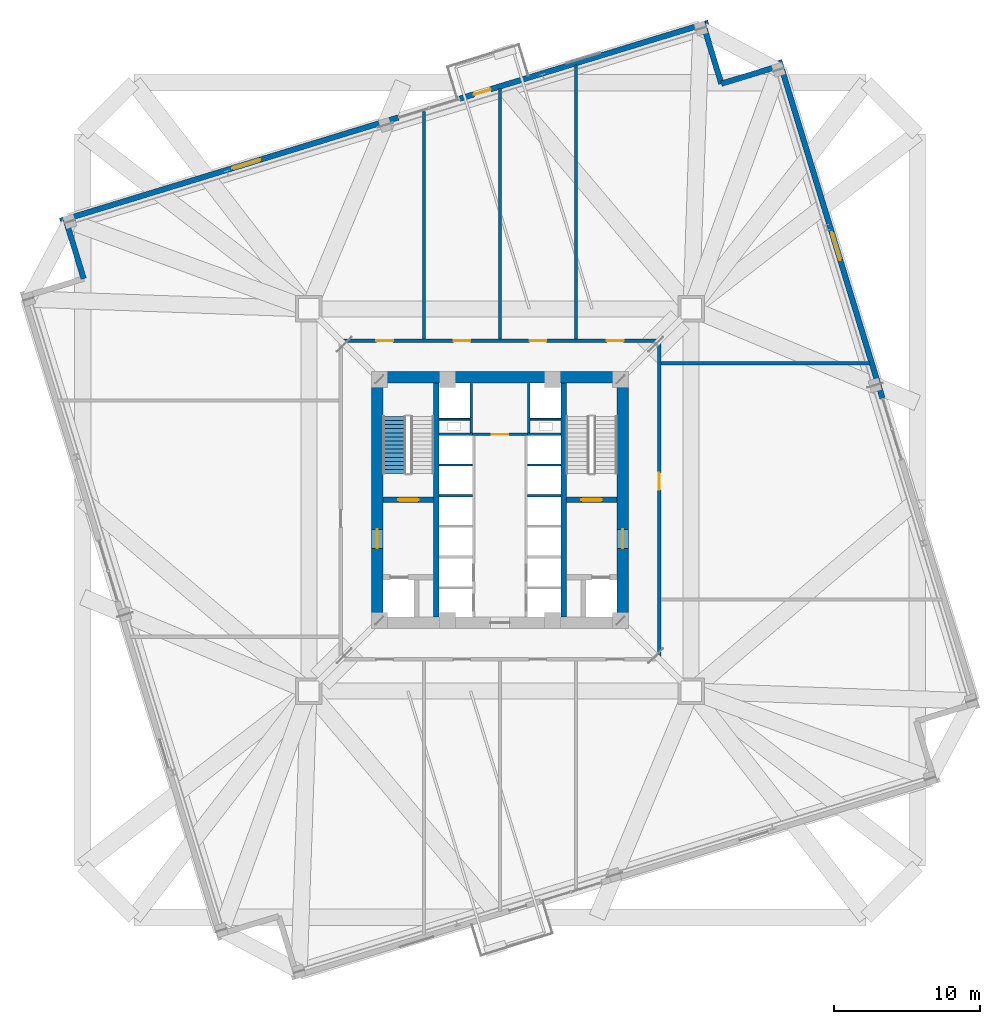
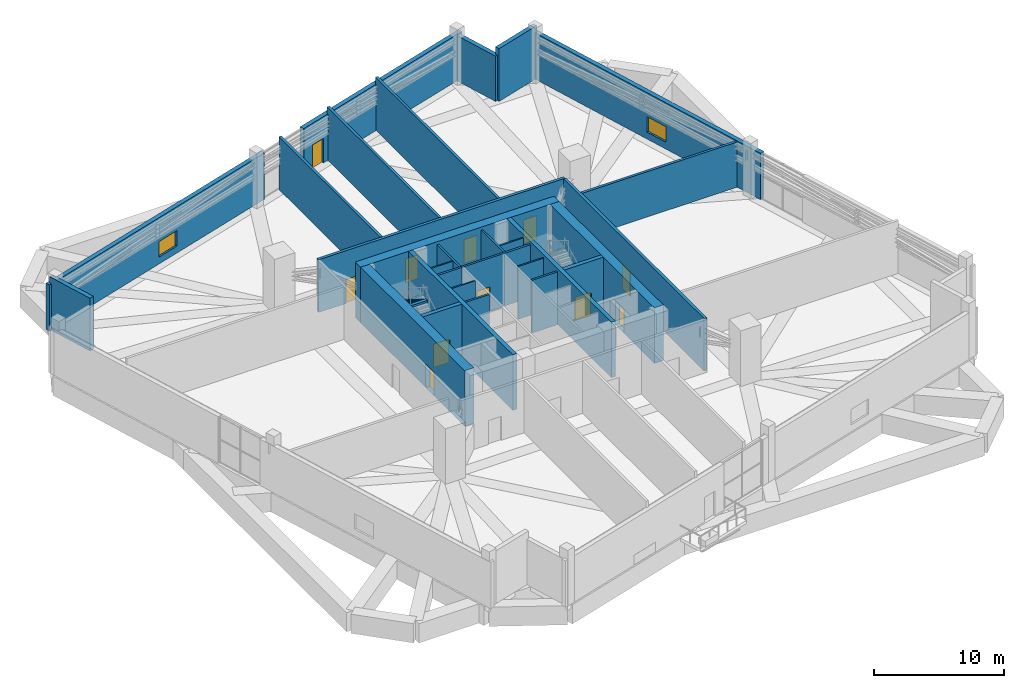
# One storey, part 18 of 22: 30 walls, 11 doors, 2 windows, 1 stair flight, 13 openings, 1 element without a shape of its own.
"""IFC4 building model written with IfcOpenShell, lengths in metres."""

import ifcopenshell
import ifcopenshell.guid

model = None  # the IFC model being written
_history = None  # IfcOwnerHistory: only IFC2X3 demands one
_inside = {}  # id of a spatial element -> (the spatial element, [elements in it])
_under = {}  # id of a project, library or spatial element -> (it, [spatial elements below it])
_declared = {}  # id of a project -> (the project, [libraries it declares])
_typed = {}  # id of a type object -> (the type object, [elements of that type])
_made_of = {}  # id of a material, layer set ... -> (it, [elements and type objects made of it])


def new_model(schema):
    """Start an empty IFC model of exactly this schema.

    Asked for "IFC4X3", IfcOpenShell would pick the latest addendum, in which some entities
    have other attributes; the version numbers below select the first issue.
    IFC2X3 requires an IfcOwnerHistory on every rooted entity: one is made here for all.
    """
    global model, _history
    if schema == "IFC4X3":
        model = ifcopenshell.file(schema_version=(4, 3, 0, 0))
    else:
        model = ifcopenshell.file(schema=schema)
    _inside.clear()
    _under.clear()
    _declared.clear()
    _typed.clear()
    _made_of.clear()
    _history = None
    if model.schema == "IFC2X3":
        org = make("IfcOrganization", Name="unknown")
        user = make(
            "IfcPersonAndOrganization",
            ThePerson=make("IfcPerson", FamilyName="unknown"),
            TheOrganization=org,
        )
        app = make(
            "IfcApplication",
            ApplicationDeveloper=org,
            Version="unknown",
            ApplicationFullName="unknown",
            ApplicationIdentifier="unknown",
        )
        _history = make(
            "IfcOwnerHistory",
            OwningUser=user,
            OwningApplication=app,
            ChangeAction="ADDED",
            CreationDate=0,
        )
    return model


def make(cls, **values):
    """One entity of the class cls with the attributes given. An attribute that is None is left unset."""
    return model.create_entity(
        cls, **{name: value for name, value in values.items() if value is not None}
    )


def rooted(cls, **values):
    """An entity with a GlobalId (a new one), such as an element, a storey or a relation."""
    return make(cls, GlobalId=ifcopenshell.guid.new(), OwnerHistory=_history, **values)


def si_unit(unit_type, name, prefix=None):
    """IfcSIUnit, for example si_unit("LENGTHUNIT", "METRE", prefix="MILLI")."""
    return make("IfcSIUnit", UnitType=unit_type, Prefix=prefix, Name=name)


def assignment(units):
    """IfcUnitAssignment: the units of a project."""
    return None if units is None else make("IfcUnitAssignment", Units=units)


def point(xyz):
    """IfcCartesianPoint."""
    return None if xyz is None else make("IfcCartesianPoint", Coordinates=xyz)


def direction(xyz):
    """IfcDirection."""
    return None if xyz is None else make("IfcDirection", DirectionRatios=xyz)


def frame(location, z_axis=None, x_axis=None):
    """IfcAxis2Placement3D, a coordinate frame: its origin and axes. An axis left out is left unset."""
    return make(
        "IfcAxis2Placement3D",
        Location=point(location),
        Axis=direction(z_axis),
        RefDirection=direction(x_axis),
    )


def frame_2d(location, x_axis=None):
    """IfcAxis2Placement2D, a coordinate frame in the plane: its origin and x axis."""
    return make(
        "IfcAxis2Placement2D", Location=point(location), RefDirection=direction(x_axis)
    )


def origin():
    """The frame at (0, 0, 0) with its axes left unset."""
    return frame((0.0, 0.0, 0.0))


def place(relative_to, where):
    """IfcLocalPlacement: puts the frame where relative to a parent placement (None: the world)."""
    return make(
        "IfcLocalPlacement", PlacementRelTo=relative_to, RelativePlacement=where
    )


def context(
    kind, dimensions, precision=None, world=None, true_north=None, identifier=None
):
    """IfcGeometricRepresentationContext, for example the 3D "Model" context."""
    return make(
        "IfcGeometricRepresentationContext",
        ContextIdentifier=identifier,
        ContextType=kind,
        CoordinateSpaceDimension=dimensions,
        Precision=precision,
        WorldCoordinateSystem=world,
        TrueNorth=true_north,
    )


def subcontext(parent, identifier, kind, view, scale=None):
    """IfcGeometricRepresentationSubContext, for example "Body" below "Model"."""
    return make(
        "IfcGeometricRepresentationSubContext",
        ContextIdentifier=identifier,
        ContextType=kind,
        ParentContext=parent,
        TargetScale=scale,
        TargetView=view,
    )


def project(units=None, contexts=None):
    """IfcProject with its units and contexts."""
    return rooted(
        "IfcProject",
        Name="project",
        RepresentationContexts=contexts,
        UnitsInContext=assignment(units),
    )


def spatial(cls, under=None, at=None, **own):
    """A site, building, storey or space (cls), placed at a placement, below another one or the project."""
    s = rooted(cls, ObjectPlacement=at, **own)
    if under is not None:
        _under.setdefault(under.id(), (under, []))[1].append(s)
    return s


def polyline(points):
    """IfcPolyline through the points."""
    return make("IfcPolyline", Points=[point(p) for p in points])


def profile(cls, at=None, kind="AREA", **sizes):
    """A parametric profile (cls). Its sizes go by their IFC names, for example OverallWidth=200.0."""
    return make(cls, ProfileType=kind, Position=at, **sizes)


def rectangle(**sizes):
    """IfcRectangleProfileDef."""
    return profile("IfcRectangleProfileDef", **sizes)


def outline(outer, holes=None, kind="AREA"):
    """IfcArbitraryClosedProfileDef: a profile drawn as a closed curve; with holes, ...WithVoids."""
    if holes is None:
        return make("IfcArbitraryClosedProfileDef", ProfileType=kind, OuterCurve=outer)
    return make(
        "IfcArbitraryProfileDefWithVoids",
        ProfileType=kind,
        OuterCurve=outer,
        InnerCurves=holes,
    )


def extrude(swept, where, along, depth):
    """IfcExtrudedAreaSolid: the profile swept, set in the frame where, extruded along a direction by depth."""
    return make(
        "IfcExtrudedAreaSolid",
        SweptArea=swept,
        Position=where,
        ExtrudedDirection=direction(along),
        Depth=depth,
    )


def shape(context_of_items, identifier, shape_type, items):
    """IfcShapeRepresentation: the items that make up one representation, for example the "Body"."""
    return make(
        "IfcShapeRepresentation",
        ContextOfItems=context_of_items,
        RepresentationIdentifier=identifier,
        RepresentationType=shape_type,
        Items=items,
    )


def source(mapping_origin, context_of_items, identifier, shape_type, items):
    """IfcRepresentationMap: a shape defined once, which mapped items show again and again."""
    return make(
        "IfcRepresentationMap",
        MappingOrigin=mapping_origin,
        MappedRepresentation=shape(context_of_items, identifier, shape_type, items),
    )


def transform(
    local_origin,
    x_axis=None,
    y_axis=None,
    z_axis=None,
    scale=None,
    scale2=None,
    scale3=None,
    uniform=True,
):
    """IfcCartesianTransformationOperator3D, or its non-uniform kind. x_axis, y_axis, z_axis: its Axis1, 2, 3."""
    if uniform:
        return make(
            "IfcCartesianTransformationOperator3D",
            Axis1=direction(x_axis),
            Axis2=direction(y_axis),
            LocalOrigin=point(local_origin),
            Scale=scale,
            Axis3=direction(z_axis),
        )
    return make(
        "IfcCartesianTransformationOperator3DnonUniform",
        Axis1=direction(x_axis),
        Axis2=direction(y_axis),
        LocalOrigin=point(local_origin),
        Scale=scale,
        Axis3=direction(z_axis),
        Scale2=scale2,
        Scale3=scale3,
    )


def mapped(mapping_source, mapping_target):
    """IfcMappedItem: shows the shape of a source again, moved by a transform."""
    return make(
        "IfcMappedItem", MappingSource=mapping_source, MappingTarget=mapping_target
    )


def material(Name=None, Category=None):
    """IfcMaterial."""
    return make("IfcMaterial", Name=Name, Category=Category)


def layer(
    of_material, thickness, ventilated=None, Name=None, Category=None, Priority=None
):
    """IfcMaterialLayer: one layer of a wall or slab, of a material (None: an air gap)."""
    return make(
        "IfcMaterialLayer",
        Material=of_material,
        LayerThickness=thickness,
        IsVentilated=ventilated,
        Name=Name,
        Category=Category,
        Priority=Priority,
    )


def layer_set(layers, Name=None):
    """IfcMaterialLayerSet."""
    return make("IfcMaterialLayerSet", MaterialLayers=layers, LayerSetName=Name)


def made_of(thing, what):
    """Note that an element or type object is made of a material, layer set ...; save() writes the relation."""
    if what is not None:
        _made_of.setdefault(what.id(), (what, []))[1].append(thing)
    return thing


def type_object(cls, material=None, **own):
    """A type object (cls), such as IfcWallType, which elements share."""
    return made_of(rooted(cls, **own), material)


def element(
    cls,
    number,
    at=None,
    inside=None,
    cuts=None,
    type_object=None,
    material=None,
    context=None,
    identifier="Body",
    shape_type=None,
    held_by="IfcProductDefinitionShape",
    body=None,
    shapes=None,
    **own,
):
    """One element of the class cls, such as IfcWall. Its Tag is "e" and its number.

    at: its placement. inside: the storey or other place that contains it. cuts: it is an
    opening in that element (IfcRelVoidsElement). A single representation is given by context,
    identifier, shape_type and body (its items); several are given by shapes. held_by: the class
    of the entity that holds the representations. save() writes the other relations.
    """
    e = rooted(cls, Tag="e%d" % number, ObjectPlacement=at, **own)
    if body is not None:
        shapes = [shape(context, identifier, shape_type, body)]
    if shapes is not None:
        e.Representation = make(held_by, Representations=shapes)
    if inside is not None:
        _inside.setdefault(inside.id(), (inside, []))[1].append(e)
    if cuts is not None:
        rooted(
            "IfcRelVoidsElement", RelatingBuildingElement=cuts, RelatedOpeningElement=e
        )
    if type_object is not None:
        _typed.setdefault(type_object.id(), (type_object, []))[1].append(e)
    return made_of(e, material)


def fill(opening, filler):
    """IfcRelFillsElement: the door or window that sits in an opening."""
    return rooted(
        "IfcRelFillsElement",
        RelatingOpeningElement=opening,
        RelatedBuildingElement=filler,
    )


def aggregate(whole, parts):
    """IfcRelAggregates: a whole, such as a stair, and the parts it consists of."""
    return rooted("IfcRelAggregates", RelatingObject=whole, RelatedObjects=parts)


def save(model, path):
    """Write the relations noted so far, then the file.

    IfcRelAggregates (storeys below a building ...), IfcRelContainedInSpatialStructure (elements
    in a storey), IfcRelDefinesByType, IfcRelAssociatesMaterial and IfcRelDeclares: one each for
    every whole, place, type object, material and project.
    """
    for whole, parts in _under.values():
        aggregate(whole, parts)
    for where, things in _inside.values():
        rooted(
            "IfcRelContainedInSpatialStructure",
            RelatedElements=things,
            RelatingStructure=where,
        )
    for kind, things in _typed.values():
        rooted("IfcRelDefinesByType", RelatedObjects=things, RelatingType=kind)
    for what, things in _made_of.values():
        rooted("IfcRelAssociatesMaterial", RelatedObjects=things, RelatingMaterial=what)
    for by, libraries in _declared.values():
        rooted("IfcRelDeclares", RelatingContext=by, RelatedDefinitions=libraries)
    model.write(path)


model = new_model("IFC4")

# Units and contexts
model_context = context("Model", 3, precision=1e-05, world=origin(), true_north=direction((0.0, 1.0)))
body_context = subcontext(model_context, "Body", "Model", "MODEL_VIEW")
ifc_project = project(units=[si_unit("LENGTHUNIT", "METRE"), si_unit("AREAUNIT", "SQUARE_METRE"), si_unit("VOLUMEUNIT", "CUBIC_METRE"), si_unit("PLANEANGLEUNIT", "RADIAN"), si_unit("MASSUNIT", "GRAM", prefix="KILO"), si_unit("THERMODYNAMICTEMPERATUREUNIT", "KELVIN")], contexts=[model_context])

# Site, building, storey
site_placement = place(None, origin())
site = spatial("IfcSite", under=ifc_project, at=site_placement, CompositionType="ELEMENT")
building_placement = place(site_placement, origin())
building = spatial("IfcBuilding", under=site, at=building_placement, Name="Kosmvard Interchange Tower", CompositionType="ELEMENT")
storey_placement = place(building_placement, frame((0.0, 0.0, 78.0)))
storey = spatial("IfcBuildingStorey", under=building, at=storey_placement, Name="L18", CompositionType="ELEMENT", Elevation=78.0)

# Walls
ifc_material_1 = material(Name="Fire-rated gypsum partition system")
ifc_layer_1 = layer(ifc_material_1, 0.159912109375, Name="Fire-rated gypsum partition system")
ifc_layer_set_1 = layer_set([ifc_layer_1], Name="Fire-rated gypsum partition system")
wall_type_1 = type_object("IfcWallType", Name="Core Compartment & Shuttle Lobby Partition 160", PredefinedType="PARTITIONING", material=ifc_layer_set_1)
for number, where, z_axis, x_axis, name in (
    (1, (-1.9599609375, 4.580078125, 0.0), (0.0, 0.0, 1.0), (0.0, 1.0, 0.0), "L18 North Core West Wall"),
    (2, (1.9599609375, 4.580078125, 0.0), (0.0, 0.0, 1.0), (0.0, 1.0, 0.0), "L18 North Core East Wall"),
):
    element("IfcWall", number, at=place(storey_placement, frame(where, z_axis=z_axis, x_axis=x_axis)), inside=storey, type_object=wall_type_1, Name=name, PredefinedType="PARTITIONING", context=body_context, shape_type="SweptSolid", body=[
        extrude(rectangle(XDim=3.39990234375, YDim=0.159912109375, at=frame_2d((1.699951171875, 0.0))), origin(), (0.0, 0.0, 1.0), 4.93994140625),
    ])

# Wall, opening, door
ifc_layer_2 = layer(ifc_material_1, 0.179931640625, Name="Fire-rated gypsum partition system")
ifc_layer_set_2 = layer_set([ifc_layer_2], Name="Fire-rated gypsum partition system")
wall_type_2 = type_object("IfcWallType", Name="Corridor & Hotel Compartment Partition 180", PredefinedType="PARTITIONING", material=ifc_layer_set_2)
wall_1_placement = place(storey_placement, frame((-1.8798828125, 4.489990234375, 0.0), z_axis=(0.0, 0.0, 1.0), x_axis=(1.0, 0.0, 0.0)))
wall_1 = element("IfcWall", 3, at=wall_1_placement, inside=storey, type_object=wall_type_2, Name="L18 Lift Lobby North Partition", PredefinedType="PARTITIONING", context=body_context, shape_type="SweptSolid", body=[
    extrude(rectangle(XDim=3.759765625, YDim=0.179931640625, at=frame_2d((1.8798828125, 0.0))), origin(), (0.0, 0.0, 1.0), 4.93994140625),
])
opening_1_placement = place(wall_1_placement, frame((1.304931640625, 0.0, 0.0)))
opening_1 = element("IfcOpeningElement", 4, at=opening_1_placement, cuts=wall_1, Name="Opening L18-KD1", PredefinedType="OPENING", context=body_context, shape_type="SweptSolid", body=[
    extrude(rectangle(XDim=1.14990234375, YDim=2.25, at=frame_2d((0.574951171875, 1.125))), frame((0.0, 0.10009765625, 0.0), z_axis=(0.0, -1.0, 0.0), x_axis=(1.0, 0.0, 0.0)), (0.0, 0.0, 1.0), 0.199951171875),
])
ifc_material_2 = material(Name="Painted fire-rated steel leaf", Category="steel")
door_type_1 = type_object("IfcDoorType", Name="Plant & Riser Fire Door 1150x2250 EI60", OperationType="NOTDEFINED", PredefinedType="DOOR", material=ifc_material_2)
shared_shape_1 = source(origin(), body_context, "Body", "SweptSolid", [
    extrude(rectangle(XDim=1.14990234375, YDim=2.25, at=frame_2d((0.574951171875, 1.125))), frame((0.0, 0.02490234375, 0.0), z_axis=(0.0, -1.0, 0.0), x_axis=(1.0, 0.0, 0.0)), (0.0, 0.0, 1.0), 0.050048828125),
])
door_1_placement = place(opening_1_placement, origin())
door_1 = element("IfcDoor", 5, at=door_1_placement, inside=storey, type_object=door_type_1, Name="L18 Core IT Room Door", OperationType="SINGLE_SWING_LEFT", OverallHeight=2.25, OverallWidth=1.14990234375, PredefinedType="DOOR", context=body_context, shape_type="MappedRepresentation", body=[
    mapped(shared_shape_1, transform((0.0, 0.0, 0.0), scale=1.0)),
])
fill(opening_1, door_1)

# Wall, openings, doors
ifc_material_3 = material(Name="Concrete blockwork masonry", Category="masonry")
ifc_layer_3 = layer(ifc_material_3, 0.25, Name="Concrete blockwork masonry")
ifc_layer_set_3 = layer_set([ifc_layer_3], Name="Concrete blockwork masonry")
wall_type_3 = type_object("IfcWallType", Name="Exit Passage & Firefighting Lobby Wall 250", PredefinedType="PARTITIONING", material=ifc_layer_set_3)
wall_2_placement = place(storey_placement, frame((-10.89990234375, 10.89990234375, 0.0), z_axis=(0.0, 0.0, 1.0), x_axis=(1.0, 0.0, 0.0)))
wall_2 = element("IfcWall", 6, at=wall_2_placement, inside=storey, type_object=wall_type_3, Name="L18 Corridor Wall CN", PredefinedType="PARTITIONING", context=body_context, shape_type="SweptSolid", body=[
    extrude(rectangle(XDim=21.7998046875, YDim=0.25, at=frame_2d((10.89990234375, 0.0))), origin(), (0.0, 0.0, 1.0), 4.93994140625),
])
opening_2_placement = place(wall_2_placement, frame((2.439453125, 0.0, 0.0)))
opening_2 = element("IfcOpeningElement", 7, at=opening_2_placement, cuts=wall_2, Name="Opening L18-D01", PredefinedType="OPENING", context=body_context, shape_type="SweptSolid", body=[
    extrude(rectangle(XDim=1.14990234375, YDim=2.25, at=frame_2d((0.574951171875, 1.125))), frame((0.0, 0.135009765625, 0.0), z_axis=(0.0, -1.0, 0.0), x_axis=(1.0, 0.0, 0.0)), (0.0, 0.0, 1.0), 0.27001953125),
])
opening_3_placement = place(wall_2_placement, frame((7.72509765625, 0.0, 0.0)))
opening_3 = element("IfcOpeningElement", 8, at=opening_3_placement, cuts=wall_2, Name="Opening L18-D02", PredefinedType="OPENING", context=body_context, shape_type="SweptSolid", body=[
    extrude(rectangle(XDim=1.14990234375, YDim=2.25, at=frame_2d((0.574951171875, 1.125))), frame((0.0, 0.135009765625, 0.0), z_axis=(0.0, -1.0, 0.0), x_axis=(1.0, 0.0, 0.0)), (0.0, 0.0, 1.0), 0.27001953125),
])
opening_4_placement = place(wall_2_placement, frame((12.925048828125, 0.0, 0.0)))
opening_4 = element("IfcOpeningElement", 9, at=opening_4_placement, cuts=wall_2, Name="Opening L18-D03", PredefinedType="OPENING", context=body_context, shape_type="SweptSolid", body=[
    extrude(rectangle(XDim=1.14990234375, YDim=2.25, at=frame_2d((0.574951171875, 1.125))), frame((0.0, 0.135009765625, 0.0), z_axis=(0.0, -1.0, 0.0), x_axis=(1.0, 0.0, 0.0)), (0.0, 0.0, 1.0), 0.27001953125),
])
opening_5_placement = place(wall_2_placement, frame((18.21044921875, 0.0, 0.0)))
opening_5 = element("IfcOpeningElement", 10, at=opening_5_placement, cuts=wall_2, Name="Opening L18-D04", PredefinedType="OPENING", context=body_context, shape_type="SweptSolid", body=[
    extrude(rectangle(XDim=1.14990234375, YDim=2.25, at=frame_2d((0.574951171875, 1.125))), frame((0.0, 0.135009765625, 0.0), z_axis=(0.0, -1.0, 0.0), x_axis=(1.0, 0.0, 0.0)), (0.0, 0.0, 1.0), 0.27001953125),
])
door_2_placement = place(opening_2_placement, origin())
door_2 = element("IfcDoor", 11, at=door_2_placement, inside=storey, type_object=door_type_1, Name="L18 Booster Pump and Fire Tank Plant Room Door", OperationType="SINGLE_SWING_LEFT", OverallHeight=2.25, OverallWidth=1.14990234375, PredefinedType="DOOR", context=body_context, shape_type="MappedRepresentation", body=[
    mapped(shared_shape_1, transform((0.0, 0.0, 0.0), scale=1.0)),
])
fill(opening_2, door_2)
door_3_placement = place(opening_3_placement, origin())
door_3 = element("IfcDoor", 12, at=door_3_placement, inside=storey, type_object=door_type_1, Name="L18 Condenser Water Pump Plant Room Door", OperationType="SINGLE_SWING_RIGHT", OverallHeight=2.25, OverallWidth=1.14990234375, PredefinedType="DOOR", context=body_context, shape_type="MappedRepresentation", body=[
    mapped(shared_shape_1, transform((0.0, 0.0, 0.0), scale=1.0)),
])
fill(opening_3, door_3)
door_4_placement = place(opening_4_placement, origin())
door_4 = element("IfcDoor", 13, at=door_4_placement, inside=storey, type_object=door_type_1, Name="L18 Plate Heat Exchanger Plant Room Door", OperationType="SINGLE_SWING_LEFT", OverallHeight=2.25, OverallWidth=1.14990234375, PredefinedType="DOOR", context=body_context, shape_type="MappedRepresentation", body=[
    mapped(shared_shape_1, transform((0.0, 0.0, 0.0), scale=1.0)),
])
fill(opening_4, door_4)
door_5_placement = place(opening_5_placement, origin())
door_5 = element("IfcDoor", 14, at=door_5_placement, inside=storey, type_object=door_type_1, Name="L18 Zone Chiller Heat Exchange Plant Room Door", OperationType="SINGLE_SWING_RIGHT", OverallHeight=2.25, OverallWidth=1.14990234375, PredefinedType="DOOR", context=body_context, shape_type="MappedRepresentation", body=[
    mapped(shared_shape_1, transform((0.0, 0.0, 0.0), scale=1.0)),
])
fill(opening_5, door_5)

# Wall, opening, door
wall_3_placement = place(storey_placement, frame((10.89990234375, -10.800048828125, 0.0), z_axis=(0.0, 0.0, 1.0), x_axis=(0.0, 1.0, 0.0)))
wall_3 = element("IfcWall", 15, at=wall_3_placement, inside=storey, type_object=wall_type_3, Name="L18 Corridor Wall CE", PredefinedType="PARTITIONING", context=body_context, shape_type="SweptSolid", body=[
    extrude(rectangle(XDim=21.60009765625, YDim=0.25, at=frame_2d((10.800048828125, 0.0))), origin(), (0.0, 0.0, 1.0), 4.93994140625),
])
opening_6_placement = place(wall_3_placement, frame((11.5, 0.0, 0.0)))
opening_6 = element("IfcOpeningElement", 16, at=opening_6_placement, cuts=wall_3, Name="Opening L18-D05", PredefinedType="OPENING", context=body_context, shape_type="SweptSolid", body=[
    extrude(rectangle(XDim=1.14990234375, YDim=2.25, at=frame_2d((0.574951171875, 1.125))), frame((0.0, 0.135009765625, 0.0), z_axis=(0.0, -1.0, 0.0), x_axis=(1.0, 0.0, 0.0)), (0.0, 0.0, 1.0), 0.27001953125),
])
door_6_placement = place(opening_6_placement, frame((1.14990234375, 0.0, 0.0), z_axis=(0.0, 0.0, 1.0), x_axis=(-1.0, 0.0, 0.0)))
door_6 = element("IfcDoor", 17, at=door_6_placement, inside=storey, type_object=door_type_1, Name="L18 Refuge Area East Door", OperationType="SINGLE_SWING_LEFT", OverallHeight=2.25, OverallWidth=1.14990234375, PredefinedType="DOOR", context=body_context, shape_type="MappedRepresentation", body=[
    mapped(shared_shape_1, transform((0.0, 0.0, 0.0), scale=1.0)),
])
fill(opening_6, door_6)

# Wall
ifc_material_4 = material(Name="Concrete C80/95", Category="concrete")
ifc_layer_4 = layer(ifc_material_4, 0.800048828125, Name="Concrete C80/95")
ifc_layer_set_4 = layer_set([ifc_layer_4], Name="Concrete C80/95")
wall_type_4 = type_object("IfcWallType", Name="Lower Core Shear Wall 800 C80/95", PredefinedType="SHEAR", material=ifc_layer_set_4)
wall_4_placement = place(storey_placement, frame((-8.800048828125, 8.39990234375, 0.0), z_axis=(0.0, 0.0, 1.0), x_axis=(1.0, 0.0, 0.0)))
element("IfcWall", 18, at=wall_4_placement, inside=storey, type_object=wall_type_4, Name="L18 Core Shear Wall CW-N", PredefinedType="SHEAR", context=body_context, shape_type="SweptSolid", body=[
    extrude(rectangle(XDim=17.60009765625, YDim=0.800048828125, at=frame_2d((8.800048828125, 0.0))), origin(), (0.0, 0.0, 1.0), 5.199951171875),
])

# Wall, opening, door
wall_5_placement = place(storey_placement, frame((-8.39990234375, -8.0, 0.0), z_axis=(0.0, 0.0, 1.0), x_axis=(0.0, 1.0, 0.0)))
wall_5 = element("IfcWall", 19, at=wall_5_placement, inside=storey, type_object=wall_type_4, Name="L18 Core Shear Wall CW-W", PredefinedType="SHEAR", context=body_context, shape_type="SweptSolid", body=[
    extrude(rectangle(XDim=16.0, YDim=0.800048828125, at=frame_2d((8.0, 0.0))), origin(), (0.0, 0.0, 1.0), 5.199951171875),
])
opening_7_placement = place(wall_5_placement, frame((4.68994140625, 0.0, 0.0)))
opening_7 = element("IfcOpeningElement", 20, at=opening_7_placement, cuts=wall_5, Name="Opening L18-FD1", PredefinedType="OPENING", context=body_context, shape_type="SweptSolid", body=[
    extrude(rectangle(XDim=1.300048828125, YDim=2.199951171875, at=frame_2d((0.64990234375, 1.10009765625))), frame((0.0, 0.41015625, 0.0), z_axis=(0.0, -1.0, 0.0), x_axis=(1.0, 0.0, 0.0)), (0.0, 0.0, 1.0), 0.820068359375),
])
door_type_2 = type_object("IfcDoorType", Name="Firefighting Lobby Door 1300x2200 EI60", OperationType="NOTDEFINED", PredefinedType="DOOR", material=ifc_material_2)
shared_shape_2 = source(origin(), body_context, "Body", "SweptSolid", [
    extrude(rectangle(XDim=1.300048828125, YDim=2.199951171875, at=frame_2d((0.64990234375, 1.10009765625))), frame((0.0, 0.02490234375, 0.0), z_axis=(0.0, -1.0, 0.0), x_axis=(1.0, 0.0, 0.0)), (0.0, 0.0, 1.0), 0.050048828125),
])
door_7_placement = place(opening_7_placement, frame((1.300048828125, 0.0, 0.0), z_axis=(0.0, 0.0, 1.0), x_axis=(-1.0, 0.0, 0.0)))
door_7 = element("IfcDoor", 21, at=door_7_placement, inside=storey, type_object=door_type_2, Name="L18 Firefighting Lobby West Door", OperationType="SINGLE_SWING_LEFT", OverallHeight=2.199951171875, OverallWidth=1.300048828125, PredefinedType="DOOR", context=body_context, shape_type="MappedRepresentation", body=[
    mapped(shared_shape_2, transform((0.0, 0.0, 0.0), scale=1.0)),
])
fill(opening_7, door_7)

wall_6_placement = place(storey_placement, frame((8.39990234375, -8.0, 0.0), z_axis=(0.0, 0.0, 1.0), x_axis=(0.0, 1.0, 0.0)))
wall_6 = element("IfcWall", 22, at=wall_6_placement, inside=storey, type_object=wall_type_4, Name="L18 Core Shear Wall CW-E", PredefinedType="SHEAR", context=body_context, shape_type="SweptSolid", body=[
    extrude(rectangle(XDim=16.0, YDim=0.800048828125, at=frame_2d((8.0, 0.0))), origin(), (0.0, 0.0, 1.0), 5.199951171875),
])
opening_8_placement = place(wall_6_placement, frame((4.68994140625, 0.0, 0.0)))
opening_8 = element("IfcOpeningElement", 23, at=opening_8_placement, cuts=wall_6, Name="Opening L18-FD2", PredefinedType="OPENING", context=body_context, shape_type="SweptSolid", body=[
    extrude(rectangle(XDim=1.300048828125, YDim=2.199951171875, at=frame_2d((0.64990234375, 1.10009765625))), frame((0.0, 0.41015625, 0.0), z_axis=(0.0, -1.0, 0.0), x_axis=(1.0, 0.0, 0.0)), (0.0, 0.0, 1.0), 0.820068359375),
])
door_8_placement = place(opening_8_placement, origin())
door_8 = element("IfcDoor", 24, at=door_8_placement, inside=storey, type_object=door_type_2, Name="L18 Firefighting Lobby East Door", OperationType="SINGLE_SWING_RIGHT", OverallHeight=2.199951171875, OverallWidth=1.300048828125, PredefinedType="DOOR", context=body_context, shape_type="MappedRepresentation", body=[
    mapped(shared_shape_2, transform((0.0, 0.0, 0.0), scale=1.0)),
])
fill(opening_8, door_8)

# Walls
ifc_material_5 = material(Name="Precast concrete C45/55", Category="concrete")
ifc_layer_5 = layer(ifc_material_5, 0.3798828125, Name="Precast concrete C45/55")
ifc_layer_set_5 = layer_set([ifc_layer_5], Name="Precast concrete C45/55")
wall_type_5 = type_object("IfcWallType", Name="Lower Tower Precast Pier Wall 380 C45/55", PredefinedType="STANDARD", material=ifc_layer_set_5)
wall_7_placement = place(storey_placement, frame((19.20849609375, 29.724853515625, 0.0), z_axis=(0.0, 0.0, 1.0), x_axis=(-0.956312764915, -0.292345507338, 0.0)))
element("IfcWall", 25, at=wall_7_placement, inside=storey, type_object=wall_type_5, Name="L18 Corner Precast Pier N-NE1", PredefinedType="STANDARD", context=body_context, shape_type="SweptSolid", body=[
    extrude(rectangle(XDim=4.249755859375, YDim=0.3798828125, at=frame_2d((2.125, 0.0))), origin(), (0.0, 0.0, 1.0), 4.93994140625),
])
wall_8_placement = place(storey_placement, frame((15.144287109375, 28.482421875, 0.0), z_axis=(0.0, 0.0, 1.0), x_axis=(-0.292373601522, 0.956304176051, 0.0)))
element("IfcWall", 26, at=wall_8_placement, inside=storey, type_object=wall_type_5, Name="L18 Corner Precast Pier N-NE2", PredefinedType="STANDARD", context=body_context, shape_type="SweptSolid", body=[
    extrude(rectangle(XDim=4.43994140625, YDim=0.3798828125, at=frame_2d((2.219970703125, 0.0))), origin(), (0.0, 0.0, 1.0), 4.239990234375),
])
wall_9_placement = place(storey_placement, frame((-29.724853515625, 19.20849609375, 0.0), z_axis=(0.0, 0.0, 1.0), x_axis=(0.292345507338, -0.956312764915, 0.0)))
element("IfcWall", 27, at=wall_9_placement, inside=storey, type_object=wall_type_5, Name="L18 Corner Precast Pier N-NW1", PredefinedType="STANDARD", context=body_context, shape_type="SweptSolid", body=[
    extrude(rectangle(XDim=4.249755859375, YDim=0.3798828125, at=frame_2d((2.125, 0.0))), origin(), (0.0, 0.0, 1.0), 4.93994140625),
])

# Wall, opening, window
wall_10_placement = place(storey_placement, frame((26.169921875, 6.955322265625, 0.0), z_axis=(0.0, 0.0, 1.0), x_axis=(-0.292372634538, 0.95630447169, 0.0)))
wall_10 = element("IfcWall", 28, at=wall_10_placement, inside=storey, type_object=wall_type_5, Name="L18 Facade Pier Wall EB", PredefinedType="STANDARD", context=body_context, shape_type="SweptSolid", body=[
    extrude(rectangle(XDim=24.18994140625, YDim=0.3798828125, at=frame_2d((12.094970703125, 0.0))), origin(), (0.0, 0.0, 1.0), 4.340087890625),
])
opening_9_placement = place(wall_10_placement, frame((9.885498046875, 0.0, 0.64990234375)))
opening_9 = element("IfcOpeningElement", 29, at=opening_9_placement, cuts=wall_10, Name="Opening L18-WEB", PredefinedType="OPENING", context=body_context, shape_type="SweptSolid", body=[
    extrude(rectangle(XDim=2.0, YDim=1.449951171875, at=frame_2d((1.0, 0.72509765625))), frame((0.0, 0.199951171875, 0.0), z_axis=(0.0, -1.0, 0.0), x_axis=(1.0, 0.0, 0.0)), (0.0, 0.0, 1.0), 0.39990234375),
])
ifc_material_6 = material(Name="Low-E solar-control double glazing", Category="glass")
window_type = type_object("IfcWindowType", Name="Transfer Zone Punched Window 2000x1450", PartitioningType="SINGLE_PANEL", PredefinedType="WINDOW", material=ifc_material_6)
shared_shape_3 = source(origin(), body_context, "Body", "SweptSolid", [
    extrude(rectangle(XDim=2.0, YDim=1.449951171875, at=frame_2d((1.0, 0.72509765625))), frame((0.0, 0.030029296875, 0.0), z_axis=(0.0, -1.0, 0.0), x_axis=(1.0, 0.0, 0.0)), (0.0, 0.0, 1.0), 0.06005859375),
])
window_1_placement = place(opening_9_placement, origin())
window_1 = element("IfcWindow", 30, at=window_1_placement, inside=storey, type_object=window_type, Name="L18 Facade Punched Window EB", OverallHeight=1.449951171875, OverallWidth=2.0, PartitioningType="SINGLE_PANEL", PredefinedType="WINDOW", context=body_context, shape_type="MappedRepresentation", body=[
    mapped(shared_shape_3, transform((0.0, 0.0, 0.0), scale=1.0)),
])
fill(opening_9, window_1)

# Wall, opening, door
wall_11_placement = place(storey_placement, frame((14.26513671875, 32.65771484375, 0.0), z_axis=(0.0, 0.0, 1.0), x_axis=(-0.956302978664, -0.292377517944, 0.0)))
wall_11 = element("IfcWall", 31, at=wall_11_placement, inside=storey, type_object=wall_type_5, Name="L18 Facade Pier Wall NA", PredefinedType="STANDARD", context=body_context, shape_type="SweptSolid", body=[
    extrude(rectangle(XDim=17.7900390625, YDim=0.3798828125, at=frame_2d((8.89501953125, 0.0))), origin(), (0.0, 0.0, 1.0), 4.340087890625),
])
opening_10_placement = place(wall_11_placement, frame((15.590087890625, 0.0, 0.0)))
opening_10 = element("IfcOpeningElement", 32, at=opening_10_placement, cuts=wall_11, Name="Opening L18-TDN", PredefinedType="OPENING", context=body_context, shape_type="SweptSolid", body=[
    extrude(rectangle(XDim=1.199951171875, YDim=2.300048828125, at=frame_2d((0.60009765625, 1.14990234375))), frame((0.0, 0.199951171875, 0.0), z_axis=(0.0, -1.0, 0.0), x_axis=(1.0, 0.0, 0.0)), (0.0, 0.0, 1.0), 0.39990234375),
])
ifc_material_7 = material(Name="Anodised aluminium and safety glass", Category="aluminium")
door_type_3 = type_object("IfcDoorType", Name="Cascade Terrace Glazed Door 1200x2300", OperationType="NOTDEFINED", PredefinedType="DOOR", material=ifc_material_7)
shared_shape_4 = source(origin(), body_context, "Body", "SweptSolid", [
    extrude(rectangle(XDim=1.199951171875, YDim=2.300048828125, at=frame_2d((0.60009765625, 1.14990234375))), frame((0.0, 0.02490234375, 0.0), z_axis=(0.0, -1.0, 0.0), x_axis=(1.0, 0.0, 0.0)), (0.0, 0.0, 1.0), 0.050048828125),
])
door_9_placement = place(opening_10_placement, origin())
door_9 = element("IfcDoor", 33, at=door_9_placement, inside=storey, type_object=door_type_3, Name="L18 Terrace Access Door SKG-L18-N", OperationType="SINGLE_SWING_LEFT", OverallHeight=2.300048828125, OverallWidth=1.199951171875, PredefinedType="DOOR", context=body_context, shape_type="MappedRepresentation", body=[
    mapped(shared_shape_4, transform((0.0, 0.0, 0.0), scale=1.0)),
])
fill(opening_10, door_9)

# Wall, opening, window
wall_12_placement = place(storey_placement, frame((-6.955322265625, 26.169921875, 0.0), z_axis=(0.0, 0.0, 1.0), x_axis=(-0.95630447169, -0.292372634538, 0.0)))
wall_12 = element("IfcWall", 34, at=wall_12_placement, inside=storey, type_object=wall_type_5, Name="L18 Facade Pier Wall NB", PredefinedType="STANDARD", context=body_context, shape_type="SweptSolid", body=[
    extrude(rectangle(XDim=24.18994140625, YDim=0.3798828125, at=frame_2d((12.094970703125, 0.0))), origin(), (0.0, 0.0, 1.0), 4.340087890625),
])
opening_11_placement = place(wall_12_placement, frame((9.885498046875, 0.0, 0.64990234375)))
opening_11 = element("IfcOpeningElement", 35, at=opening_11_placement, cuts=wall_12, Name="Opening L18-WNB", PredefinedType="OPENING", context=body_context, shape_type="SweptSolid", body=[
    extrude(rectangle(XDim=2.0, YDim=1.449951171875, at=frame_2d((1.0, 0.72509765625))), frame((0.0, 0.199951171875, 0.0), z_axis=(0.0, -1.0, 0.0), x_axis=(1.0, 0.0, 0.0)), (0.0, 0.0, 1.0), 0.39990234375),
])
window_2_placement = place(opening_11_placement, origin())
window_2 = element("IfcWindow", 36, at=window_2_placement, inside=storey, type_object=window_type, Name="L18 Facade Punched Window NB", OverallHeight=1.449951171875, OverallWidth=2.0, PartitioningType="SINGLE_PANEL", PredefinedType="WINDOW", context=body_context, shape_type="MappedRepresentation", body=[
    mapped(shared_shape_3, transform((0.0, 0.0, 0.0), scale=1.0)),
])
fill(opening_11, window_2)

# Walls
ifc_layer_6 = layer(ifc_material_3, 0.179931640625, Name="Concrete blockwork masonry")
ifc_layer_set_6 = layer_set([ifc_layer_6], Name="Concrete blockwork masonry")
wall_type_6 = type_object("IfcWallType", Name="Riser & Lift Bank Divider Wall 180", PredefinedType="PARTITIONING", material=ifc_layer_set_6)
for number, where, z_axis, x_axis, name in (
    (37, (-4.169921875, 0.300048828125, 0.0), (0.0, 0.0, 1.0), (1.0, 0.0, 0.0), "L18 West Bank Divider BD2"),
    (38, (1.889892578125, 0.300048828125, 0.0), (0.0, 0.0, 1.0), (1.0, 0.0, 0.0), "L18 East Bank Divider BD2"),
    (39, (-4.169921875, 4.489990234375, 0.0), (0.0, 0.0, 1.0), (1.0, 0.0, 0.0), "L18 West Bank Divider BD3"),
    (40, (1.889892578125, 4.489990234375, 0.0), (0.0, 0.0, 1.0), (1.0, 0.0, 0.0), "L18 East Bank Divider BD3"),
):
    element("IfcWall", number, at=place(storey_placement, frame(where, z_axis=z_axis, x_axis=x_axis)), inside=storey, type_object=wall_type_6, Name=name, PredefinedType="PARTITIONING", context=body_context, shape_type="SweptSolid", body=[
        extrude(rectangle(XDim=2.280029296875, YDim=0.179931640625, at=frame_2d((1.14013671875, 0.0))), origin(), (0.0, 0.0, 1.0), 4.93994140625),
    ])
ifc_layer_7 = layer(ifc_material_3, 0.219970703125, Name="Concrete blockwork masonry")
ifc_layer_set_7 = layer_set([ifc_layer_7], Name="Concrete blockwork masonry")
wall_type_7 = type_object("IfcWallType", Name="Riser & Plant Enclosure Wall 220", PredefinedType="PARTITIONING", material=ifc_layer_set_7)
wall_13_placement = place(storey_placement, frame((-5.199951171875, 11.030029296875, 0.0), z_axis=(0.0, 0.0, 1.0), x_axis=(0.0, 1.0, 0.0)))
element("IfcWall", 41, at=wall_13_placement, inside=storey, type_object=wall_type_7, Name="L18 Room Partition 01.1", PredefinedType="PARTITIONING", context=body_context, shape_type="SweptSolid", body=[
    extrude(rectangle(XDim=15.5458984375, YDim=0.219970703125, at=frame_2d((7.77294921875, 0.0))), origin(), (0.0, 0.0, 1.0), 4.93994140625),
])
wall_14_placement = place(storey_placement, frame((0.0, 11.030029296875, 0.0), z_axis=(0.0, 0.0, 1.0), x_axis=(0.0, 1.0, 0.0)))
element("IfcWall", 42, at=wall_14_placement, inside=storey, type_object=wall_type_7, Name="L18 Room Partition 02.1", PredefinedType="PARTITIONING", context=body_context, shape_type="SweptSolid", body=[
    extrude(rectangle(XDim=17.1357421875, YDim=0.219970703125, at=frame_2d((8.56787109375, 0.0))), origin(), (0.0, 0.0, 1.0), 4.93994140625),
])
wall_15_placement = place(storey_placement, frame((5.199951171875, 11.030029296875, 0.0), z_axis=(0.0, 0.0, 1.0), x_axis=(0.0, 1.0, 0.0)))
element("IfcWall", 43, at=wall_15_placement, inside=storey, type_object=wall_type_7, Name="L18 Room Partition 03.1", PredefinedType="PARTITIONING", context=body_context, shape_type="SweptSolid", body=[
    extrude(rectangle(XDim=18.7255859375, YDim=0.219970703125, at=frame_2d((9.36279296875, 0.0))), origin(), (0.0, 0.0, 1.0), 4.93994140625),
])
wall_16_placement = place(storey_placement, frame((11.030029296875, 9.35009765625, 0.0), z_axis=(0.0, 0.0, 1.0), x_axis=(1.0, 0.0, 0.0)))
element("IfcWall", 44, at=wall_16_placement, inside=storey, type_object=wall_type_7, Name="L18 Room Partition 04.1", PredefinedType="PARTITIONING", context=body_context, shape_type="SweptSolid", body=[
    extrude(rectangle(XDim=14.277099609375, YDim=0.219970703125, at=frame_2d((7.138671875, 0.0))), origin(), (0.0, 0.0, 1.0), 4.239990234375),
])
ifc_material_8 = material(Name="Fire-rated gypsum shaftwall system")
ifc_layer_8 = layer(ifc_material_8, 0.1201171875, Name="Fire-rated gypsum shaftwall system")
ifc_layer_set_8 = layer_set([ifc_layer_8], Name="Fire-rated gypsum shaftwall system")
wall_type_8 = type_object("IfcWallType", Name="Shaft & Riser Fire Partition 120 EI60", PredefinedType="PARTITIONING", material=ifc_layer_set_8)
for number, where, z_axis, x_axis, name in (
    (45, (-4.159912109375, 2.39990234375, 0.0), (0.0, 0.0, 1.0), (1.0, 0.0, 0.0), "L18 Shaft Divider PL-H1"),
    (46, (1.89990234375, 2.39990234375, 0.0), (0.0, 0.0, 1.0), (1.0, 0.0, 0.0), "L18 Shaft Divider PL-H3"),
):
    element("IfcWall", number, at=place(storey_placement, frame(where, z_axis=z_axis, x_axis=x_axis)), inside=storey, type_object=wall_type_8, Name=name, PredefinedType="PARTITIONING", context=body_context, shape_type="SweptSolid", body=[
        extrude(rectangle(XDim=2.260009765625, YDim=0.1201171875, at=frame_2d((1.1298828125, 0.0))), origin(), (0.0, 0.0, 1.0), 4.93994140625),
    ])
for number, where, z_axis, x_axis, name in (
    (47, (-4.159912109375, 5.52001953125, 0.0), (0.0, 0.0, 1.0), (1.0, 0.0, 0.0), "L18 Riser Shaft Divider W"),
    (48, (2.06005859375, 5.52001953125, 0.0), (0.0, 0.0, 1.0), (1.0, 0.0, 0.0), "L18 Riser Shaft Divider E"),
):
    element("IfcWall", number, at=place(storey_placement, frame(where, z_axis=z_axis, x_axis=x_axis)), inside=storey, type_object=wall_type_8, Name=name, PredefinedType="PARTITIONING", context=body_context, shape_type="SweptSolid", body=[
        extrude(rectangle(XDim=2.099853515625, YDim=0.1201171875, at=frame_2d((1.0498046875, 0.0))), origin(), (0.0, 0.0, 1.0), 4.93994140625),
    ])
ifc_material_9 = material(Name="Concrete C60/75", Category="concrete")
ifc_layer_9 = layer(ifc_material_9, 0.360107421875, Name="Concrete C60/75")
ifc_layer_set_9 = layer_set([ifc_layer_9], Name="Concrete C60/75")
wall_type_9 = type_object("IfcWallType", Name="Stair & Lift Shaft Shear Wall 360 C60/75", PredefinedType="SHEAR", material=ifc_layer_set_9)
for number, where, z_axis, x_axis, name in (
    (49, (-4.360107421875, -8.0, 0.0), (0.0, 0.0, 1.0), (0.0, 1.0, 0.0), "L18 Shaft Shear Wall SW-W"),
    (50, (4.360107421875, -8.0, 0.0), (0.0, 0.0, 1.0), (0.0, 1.0, 0.0), "L18 Shaft Shear Wall SW-E"),
):
    element("IfcWall", number, at=place(storey_placement, frame(where, z_axis=z_axis, x_axis=x_axis)), inside=storey, type_object=wall_type_9, Name=name, PredefinedType="SHEAR", context=body_context, shape_type="SweptSolid", body=[
        extrude(rectangle(XDim=16.0, YDim=0.360107421875, at=frame_2d((8.0, 0.0))), origin(), (0.0, 0.0, 1.0), 5.199951171875),
    ])

# Wall, opening, door
wall_17_placement = place(storey_placement, frame((-8.0, 0.02001953125, 0.0), z_axis=(0.0, 0.0, 1.0), x_axis=(1.0, 0.0, 0.0)))
wall_17 = element("IfcWall", 51, at=wall_17_placement, inside=storey, type_object=wall_type_9, Name="L18 Shaft Shear Wall SW-ST1", PredefinedType="SHEAR", context=body_context, shape_type="SweptSolid", body=[
    extrude(rectangle(XDim=3.4599609375, YDim=0.360107421875, at=frame_2d((1.72998046875, 0.0))), origin(), (0.0, 0.0, 1.0), 5.199951171875),
])
opening_12_placement = place(wall_17_placement, frame((1.030029296875, 0.0, 0.0)))
opening_12 = element("IfcOpeningElement", 52, at=opening_12_placement, cuts=wall_17, Name="Opening L18-SD1", PredefinedType="OPENING", context=body_context, shape_type="SweptSolid", body=[
    extrude(rectangle(XDim=1.39990234375, YDim=2.199951171875, at=frame_2d((0.699951171875, 1.10009765625))), frame((0.0, 0.18994140625, 0.0), z_axis=(0.0, -1.0, 0.0), x_axis=(1.0, 0.0, 0.0)), (0.0, 0.0, 1.0), 0.380126953125),
])
door_type_4 = type_object("IfcDoorType", Name="Protected Stair Door 1400x2200 FD60S", OperationType="NOTDEFINED", PredefinedType="DOOR", material=ifc_material_2)
shared_shape_5 = source(origin(), body_context, "Body", "SweptSolid", [
    extrude(rectangle(XDim=1.39990234375, YDim=2.199951171875, at=frame_2d((0.699951171875, 1.10009765625))), frame((0.0, 0.02490234375, 0.0), z_axis=(0.0, -1.0, 0.0), x_axis=(1.0, 0.0, 0.0)), (0.0, 0.0, 1.0), 0.050048828125),
])
door_10_placement = place(opening_12_placement, origin())
door_10 = element("IfcDoor", 53, at=door_10_placement, inside=storey, type_object=door_type_4, Name="L18 Stair ST-1 Enclosure Door", OperationType="SINGLE_SWING_LEFT", OverallHeight=2.199951171875, OverallWidth=1.39990234375, PredefinedType="DOOR", context=body_context, shape_type="MappedRepresentation", body=[
    mapped(shared_shape_5, transform((0.0, 0.0, 0.0), scale=1.0)),
])
fill(opening_12, door_10)

wall_18_placement = place(storey_placement, frame((4.5400390625, 0.02001953125, 0.0), z_axis=(0.0, 0.0, 1.0), x_axis=(1.0, 0.0, 0.0)))
wall_18 = element("IfcWall", 54, at=wall_18_placement, inside=storey, type_object=wall_type_9, Name="L18 Shaft Shear Wall SW-ST2", PredefinedType="SHEAR", context=body_context, shape_type="SweptSolid", body=[
    extrude(rectangle(XDim=3.4599609375, YDim=0.360107421875, at=frame_2d((1.72998046875, 0.0))), origin(), (0.0, 0.0, 1.0), 5.199951171875),
])
opening_13_placement = place(wall_18_placement, frame((1.030029296875, 0.0, 0.0)))
opening_13 = element("IfcOpeningElement", 55, at=opening_13_placement, cuts=wall_18, Name="Opening L18-SD2", PredefinedType="OPENING", context=body_context, shape_type="SweptSolid", body=[
    extrude(rectangle(XDim=1.39990234375, YDim=2.199951171875, at=frame_2d((0.699951171875, 1.10009765625))), frame((0.0, 0.18994140625, 0.0), z_axis=(0.0, -1.0, 0.0), x_axis=(1.0, 0.0, 0.0)), (0.0, 0.0, 1.0), 0.380126953125),
])
door_11_placement = place(opening_13_placement, origin())
door_11 = element("IfcDoor", 56, at=door_11_placement, inside=storey, type_object=door_type_4, Name="L18 Stair ST-2 Enclosure Door", OperationType="SINGLE_SWING_RIGHT", OverallHeight=2.199951171875, OverallWidth=1.39990234375, PredefinedType="DOOR", context=body_context, shape_type="MappedRepresentation", body=[
    mapped(shared_shape_5, transform((0.0, 0.0, 0.0), scale=1.0)),
])
fill(opening_13, door_11)

# Stair, stair flight
ifc_material_10 = material(Name="Concrete C50/60", Category="concrete")
stair_type = type_object("IfcStairType", Name="Dog-Leg Core Exit Stair H5200 C50/60", PredefinedType="HALF_TURN_STAIR", material=ifc_material_10)
stair_placement = place(storey_placement, origin())
stair = element("IfcStair", 57, at=stair_placement, inside=storey, type_object=stair_type, Name="L18 Protected Exit Stair ST-1", PredefinedType="HALF_TURN_STAIR")
stair_flight_type = type_object("IfcStairFlightType", Name="Core Stair Flight W1550 H5200 C50/60", PredefinedType="STRAIGHT", material=ifc_material_10)
shared_shape_6 = source(origin(), body_context, "Body", "SweptSolid", [
    extrude(outline(polyline([(0.0, 0.0), (0.0, 0.17333984375), (0.280029296875, 0.17333984375), (0.280029296875, 0.3466796875), (0.56005859375, 0.3466796875), (0.56005859375, 0.52001953125), (0.840087890625, 0.52001953125), (0.840087890625, 0.693359375), (1.1201171875, 0.693359375), (1.1201171875, 0.86669921875), (1.39990234375, 0.86669921875), (1.39990234375, 1.0400390625), (1.679931640625, 1.0400390625), (1.679931640625, 1.21337890625), (1.9599609375, 1.21337890625), (1.9599609375, 1.38671875), (2.239990234375, 1.38671875), (2.239990234375, 1.56005859375), (2.52001953125, 1.56005859375), (2.52001953125, 1.7333984375), (2.800048828125, 1.7333984375), (2.800048828125, 1.90673828125), (3.080078125, 1.90673828125), (3.080078125, 2.080078125), (3.360107421875, 2.080078125), (3.360107421875, 2.25341796875), (3.639892578125, 2.25341796875), (3.639892578125, 2.4267578125), (3.919921875, 2.4267578125), (3.919921875, 2.60009765625), (3.919921875, 2.238525390625), (0.3037109375, 0.0), (0.0, 0.0)])), frame((0.0, 0.77490234375, 0.0), z_axis=(0.0, -1.0, 0.0), x_axis=(1.0, 0.0, 0.0)), (0.0, 0.0, 1.0), 1.550048828125),
])
stair_flight_placement = place(storey_placement, frame((-7.22509765625, 5.719970703125, 2.60009765625), z_axis=(0.0, 0.0, 1.0), x_axis=(0.0, -1.0, 0.0)))
stair_flight = element("IfcStairFlight", 58, at=stair_flight_placement, type_object=stair_flight_type, Name="ST-1 flight 2", NumberOfRisers=15, NumberOfTreads=14, PredefinedType="STRAIGHT", RiserHeight=0.173333333, TreadLength=0.28, context=body_context, shape_type="MappedRepresentation", body=[
    mapped(shared_shape_6, transform((0.0, 0.0, 0.0), scale=1.0)),
])
aggregate(stair, [stair_flight])

save(model, "model.ifc")
